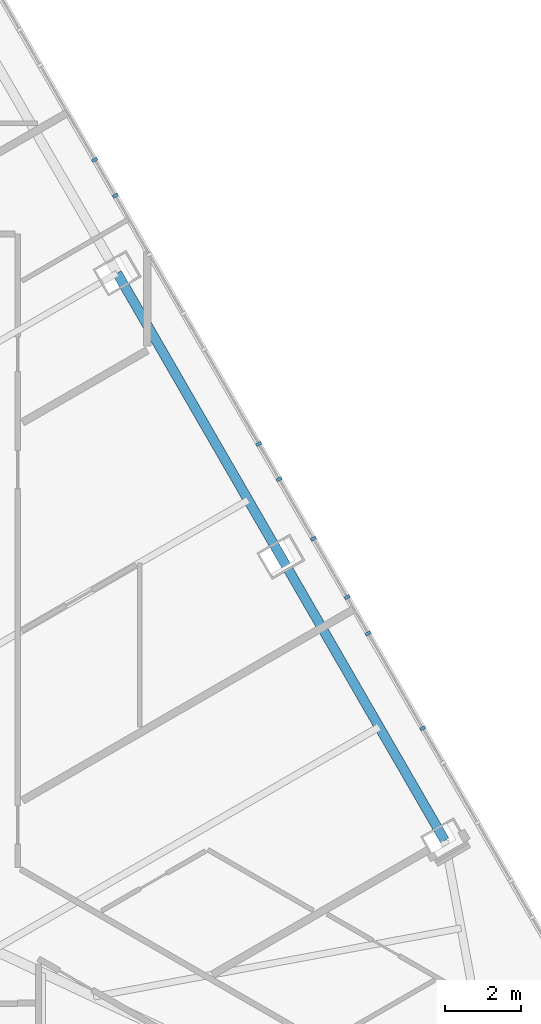
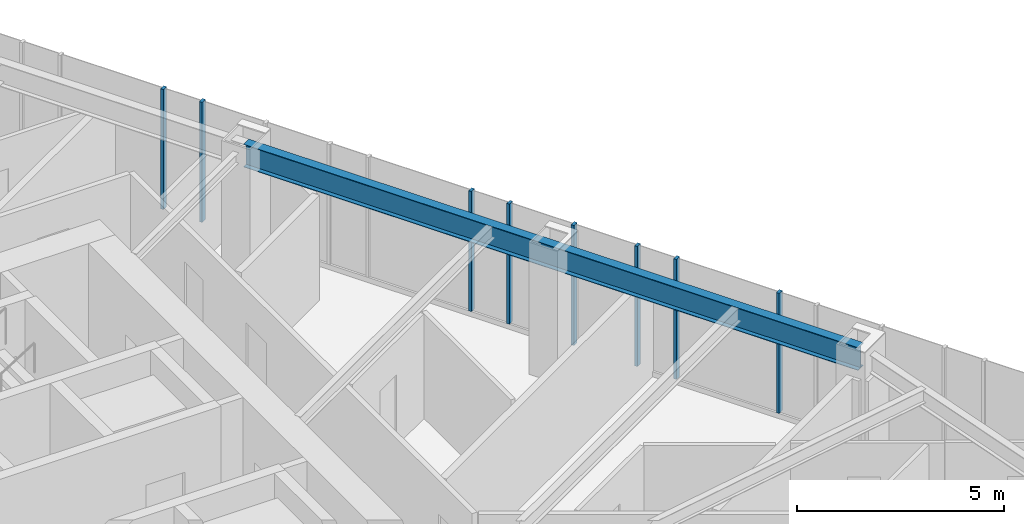
# One storey, part 10 of 24: 8 members, 1 beam, 1 element without a shape of its own.
"""IFC4 building model written with IfcOpenShell, lengths in metres."""

import ifcopenshell
import ifcopenshell.guid

model = None  # the IFC model being written
_history = None  # IfcOwnerHistory: only IFC2X3 demands one
_inside = {}  # id of a spatial element -> (the spatial element, [elements in it])
_under = {}  # id of a project, library or spatial element -> (it, [spatial elements below it])
_declared = {}  # id of a project -> (the project, [libraries it declares])
_typed = {}  # id of a type object -> (the type object, [elements of that type])
_made_of = {}  # id of a material, layer set ... -> (it, [elements and type objects made of it])


def new_model(schema):
    """Start an empty IFC model of exactly this schema.

    Asked for "IFC4X3", IfcOpenShell would pick the latest addendum, in which some entities
    have other attributes; the version numbers below select the first issue.
    IFC2X3 requires an IfcOwnerHistory on every rooted entity: one is made here for all.
    """
    global model, _history
    if schema == "IFC4X3":
        model = ifcopenshell.file(schema_version=(4, 3, 0, 0))
    else:
        model = ifcopenshell.file(schema=schema)
    _inside.clear()
    _under.clear()
    _declared.clear()
    _typed.clear()
    _made_of.clear()
    _history = None
    if model.schema == "IFC2X3":
        org = make("IfcOrganization", Name="unknown")
        user = make(
            "IfcPersonAndOrganization",
            ThePerson=make("IfcPerson", FamilyName="unknown"),
            TheOrganization=org,
        )
        app = make(
            "IfcApplication",
            ApplicationDeveloper=org,
            Version="unknown",
            ApplicationFullName="unknown",
            ApplicationIdentifier="unknown",
        )
        _history = make(
            "IfcOwnerHistory",
            OwningUser=user,
            OwningApplication=app,
            ChangeAction="ADDED",
            CreationDate=0,
        )
    return model


def make(cls, **values):
    """One entity of the class cls with the attributes given. An attribute that is None is left unset."""
    return model.create_entity(
        cls, **{name: value for name, value in values.items() if value is not None}
    )


def rooted(cls, **values):
    """An entity with a GlobalId (a new one), such as an element, a storey or a relation."""
    return make(cls, GlobalId=ifcopenshell.guid.new(), OwnerHistory=_history, **values)


def si_unit(unit_type, name, prefix=None):
    """IfcSIUnit, for example si_unit("LENGTHUNIT", "METRE", prefix="MILLI")."""
    return make("IfcSIUnit", UnitType=unit_type, Prefix=prefix, Name=name)


def assignment(units):
    """IfcUnitAssignment: the units of a project."""
    return None if units is None else make("IfcUnitAssignment", Units=units)


def point(xyz):
    """IfcCartesianPoint."""
    return None if xyz is None else make("IfcCartesianPoint", Coordinates=xyz)


def direction(xyz):
    """IfcDirection."""
    return None if xyz is None else make("IfcDirection", DirectionRatios=xyz)


def frame(location, z_axis=None, x_axis=None):
    """IfcAxis2Placement3D, a coordinate frame: its origin and axes. An axis left out is left unset."""
    return make(
        "IfcAxis2Placement3D",
        Location=point(location),
        Axis=direction(z_axis),
        RefDirection=direction(x_axis),
    )


def frame_2d(location, x_axis=None):
    """IfcAxis2Placement2D, a coordinate frame in the plane: its origin and x axis."""
    return make(
        "IfcAxis2Placement2D", Location=point(location), RefDirection=direction(x_axis)
    )


def origin():
    """The frame at (0, 0, 0) with its axes left unset."""
    return frame((0.0, 0.0, 0.0))


def origin_2d():
    """The frame at (0, 0) in the plane with its x axis left unset."""
    return frame_2d((0.0, 0.0))


def place(relative_to, where):
    """IfcLocalPlacement: puts the frame where relative to a parent placement (None: the world)."""
    return make(
        "IfcLocalPlacement", PlacementRelTo=relative_to, RelativePlacement=where
    )


def context(
    kind, dimensions, precision=None, world=None, true_north=None, identifier=None
):
    """IfcGeometricRepresentationContext, for example the 3D "Model" context."""
    return make(
        "IfcGeometricRepresentationContext",
        ContextIdentifier=identifier,
        ContextType=kind,
        CoordinateSpaceDimension=dimensions,
        Precision=precision,
        WorldCoordinateSystem=world,
        TrueNorth=true_north,
    )


def subcontext(parent, identifier, kind, view, scale=None):
    """IfcGeometricRepresentationSubContext, for example "Body" below "Model"."""
    return make(
        "IfcGeometricRepresentationSubContext",
        ContextIdentifier=identifier,
        ContextType=kind,
        ParentContext=parent,
        TargetScale=scale,
        TargetView=view,
    )


def project(units=None, contexts=None):
    """IfcProject with its units and contexts."""
    return rooted(
        "IfcProject",
        Name="project",
        RepresentationContexts=contexts,
        UnitsInContext=assignment(units),
    )


def spatial(cls, under=None, at=None, **own):
    """A site, building, storey or space (cls), placed at a placement, below another one or the project."""
    s = rooted(cls, ObjectPlacement=at, **own)
    if under is not None:
        _under.setdefault(under.id(), (under, []))[1].append(s)
    return s


def profile(cls, at=None, kind="AREA", **sizes):
    """A parametric profile (cls). Its sizes go by their IFC names, for example OverallWidth=200.0."""
    return make(cls, ProfileType=kind, Position=at, **sizes)


def rectangle(**sizes):
    """IfcRectangleProfileDef."""
    return profile("IfcRectangleProfileDef", **sizes)


def i_section(**sizes):
    """IfcIShapeProfileDef."""
    return profile("IfcIShapeProfileDef", **sizes)


def extrude(swept, where, along, depth):
    """IfcExtrudedAreaSolid: the profile swept, set in the frame where, extruded along a direction by depth."""
    return make(
        "IfcExtrudedAreaSolid",
        SweptArea=swept,
        Position=where,
        ExtrudedDirection=direction(along),
        Depth=depth,
    )


def shape(context_of_items, identifier, shape_type, items):
    """IfcShapeRepresentation: the items that make up one representation, for example the "Body"."""
    return make(
        "IfcShapeRepresentation",
        ContextOfItems=context_of_items,
        RepresentationIdentifier=identifier,
        RepresentationType=shape_type,
        Items=items,
    )


def material(Name=None, Category=None):
    """IfcMaterial."""
    return make("IfcMaterial", Name=Name, Category=Category)


def layer(
    of_material, thickness, ventilated=None, Name=None, Category=None, Priority=None
):
    """IfcMaterialLayer: one layer of a wall or slab, of a material (None: an air gap)."""
    return make(
        "IfcMaterialLayer",
        Material=of_material,
        LayerThickness=thickness,
        IsVentilated=ventilated,
        Name=Name,
        Category=Category,
        Priority=Priority,
    )


def layer_set(layers, Name=None):
    """IfcMaterialLayerSet."""
    return make("IfcMaterialLayerSet", MaterialLayers=layers, LayerSetName=Name)


def material_profile(
    of_material, cross_section, Name=None, Category=None, Priority=None
):
    """IfcMaterialProfile: a cross section and its material."""
    return make(
        "IfcMaterialProfile",
        Name=Name,
        Material=of_material,
        Profile=cross_section,
        Priority=Priority,
        Category=Category,
    )


def profile_set(profiles, Name=None, composite=None):
    """IfcMaterialProfileSet."""
    return make(
        "IfcMaterialProfileSet",
        Name=Name,
        MaterialProfiles=profiles,
        CompositeProfile=composite,
    )


def made_of(thing, what):
    """Note that an element or type object is made of a material, layer set ...; save() writes the relation."""
    if what is not None:
        _made_of.setdefault(what.id(), (what, []))[1].append(thing)
    return thing


def type_object(cls, material=None, **own):
    """A type object (cls), such as IfcWallType, which elements share."""
    return made_of(rooted(cls, **own), material)


def element(
    cls,
    number,
    at=None,
    inside=None,
    cuts=None,
    type_object=None,
    material=None,
    context=None,
    identifier="Body",
    shape_type=None,
    held_by="IfcProductDefinitionShape",
    body=None,
    shapes=None,
    **own,
):
    """One element of the class cls, such as IfcWall. Its Tag is "e" and its number.

    at: its placement. inside: the storey or other place that contains it. cuts: it is an
    opening in that element (IfcRelVoidsElement). A single representation is given by context,
    identifier, shape_type and body (its items); several are given by shapes. held_by: the class
    of the entity that holds the representations. save() writes the other relations.
    """
    e = rooted(cls, Tag="e%d" % number, ObjectPlacement=at, **own)
    if body is not None:
        shapes = [shape(context, identifier, shape_type, body)]
    if shapes is not None:
        e.Representation = make(held_by, Representations=shapes)
    if inside is not None:
        _inside.setdefault(inside.id(), (inside, []))[1].append(e)
    if cuts is not None:
        rooted(
            "IfcRelVoidsElement", RelatingBuildingElement=cuts, RelatedOpeningElement=e
        )
    if type_object is not None:
        _typed.setdefault(type_object.id(), (type_object, []))[1].append(e)
    return made_of(e, material)


def aggregate(whole, parts):
    """IfcRelAggregates: a whole, such as a stair, and the parts it consists of."""
    return rooted("IfcRelAggregates", RelatingObject=whole, RelatedObjects=parts)


def save(model, path):
    """Write the relations noted so far, then the file.

    IfcRelAggregates (storeys below a building ...), IfcRelContainedInSpatialStructure (elements
    in a storey), IfcRelDefinesByType, IfcRelAssociatesMaterial and IfcRelDeclares: one each for
    every whole, place, type object, material and project.
    """
    for whole, parts in _under.values():
        aggregate(whole, parts)
    for where, things in _inside.values():
        rooted(
            "IfcRelContainedInSpatialStructure",
            RelatedElements=things,
            RelatingStructure=where,
        )
    for kind, things in _typed.values():
        rooted("IfcRelDefinesByType", RelatedObjects=things, RelatingType=kind)
    for what, things in _made_of.values():
        rooted("IfcRelAssociatesMaterial", RelatedObjects=things, RelatingMaterial=what)
    for by, libraries in _declared.values():
        rooted("IfcRelDeclares", RelatingContext=by, RelatedDefinitions=libraries)
    model.write(path)


model = new_model("IFC4")

# Units and contexts
model_context = context("Model", 3, precision=1e-05, world=origin(), true_north=direction((0.0, 1.0)))
body_context = subcontext(model_context, "Body", "Model", "MODEL_VIEW")
ifc_project = project(units=[si_unit("LENGTHUNIT", "METRE"), si_unit("AREAUNIT", "SQUARE_METRE"), si_unit("VOLUMEUNIT", "CUBIC_METRE"), si_unit("PLANEANGLEUNIT", "RADIAN"), si_unit("MASSUNIT", "GRAM", prefix="KILO")], contexts=[model_context])

# Site, building, storey
site_placement = place(None, origin())
site = spatial("IfcSite", under=ifc_project, at=site_placement, CompositionType="ELEMENT")
building_placement = place(site_placement, origin())
building = spatial("IfcBuilding", under=site, at=building_placement, Name="Firuza Gate Tower and Library", CompositionType="ELEMENT")
storey_placement = place(building_placement, frame((0.0, 0.0, 206.5)))
storey = spatial("IfcBuildingStorey", under=building, at=storey_placement, Name="L48", CompositionType="ELEMENT", Elevation=206.5)

# Curtain wall, members
ifc_material_1 = material(Name="Aluminium 6063-T6", Category="aluminium")
ifc_layer = layer(ifc_material_1, 0.14990234375)
ifc_layer_set = layer_set([ifc_layer], Name="Unitised curtain wall, hotel")
curtain_wall_type = type_object("IfcCurtainWallType", Name="Unitised curtain wall, hotel", PredefinedType="NOTDEFINED", material=ifc_layer_set)
curtain_wall_placement = place(storey_placement, origin())
curtain_wall = element("IfcCurtainWall", 1, at=curtain_wall_placement, inside=storey, type_object=curtain_wall_type, Name="CW2 L48 E face", PredefinedType="NOTDEFINED")
ifc_material_2 = material(Name="Aluminium 6063-T6", Category="aluminium")
ifc_material_profile_1 = material_profile(ifc_material_2, rectangle(XDim=0.14990234375, YDim=0.080078125, at=origin_2d()))
ifc_profile_set_1 = profile_set([ifc_material_profile_1], Name="Aluminium 6063-T6")
member_type = type_object("IfcMemberType", Name="Curtain wall mullion 80x150", PredefinedType="MULLION", material=ifc_profile_set_1)
member_1_placement = place(storey_placement, frame((98.72900390625, 72.133544921875, 0.14990234375), z_axis=(0.0, 0.0, 1.0), x_axis=(-0.866025403784, -0.5, 0.0)))
member_1 = element("IfcMember", 2, at=member_1_placement, type_object=member_type, Name="Mullion", PredefinedType="MULLION", context=body_context, shape_type="SweptSolid", body=[
    extrude(rectangle(XDim=0.14990234375, YDim=0.080078125, at=origin_2d()), origin(), (0.0, 0.0, 1.0), 3.550048828125),
])
member_2_placement = place(storey_placement, frame((97.29443359375, 74.618408203125, 0.14990234375), z_axis=(0.0, 0.0, 1.0), x_axis=(-0.866025403784, -0.5, 0.0)))
member_2 = element("IfcMember", 3, at=member_2_placement, type_object=member_type, Name="Mullion", PredefinedType="MULLION", context=body_context, shape_type="SweptSolid", body=[
    extrude(rectangle(XDim=0.14990234375, YDim=0.080078125, at=origin_2d()), origin(), (0.0, 0.0, 1.0), 3.550048828125),
])
member_3_placement = place(storey_placement, frame((95.859619140625, 77.103515625, 0.14990234375), z_axis=(0.0, 0.0, 1.0), x_axis=(-0.866025403784, -0.5, 0.0)))
member_3 = element("IfcMember", 4, at=member_3_placement, type_object=member_type, Name="Mullion", PredefinedType="MULLION", context=body_context, shape_type="SweptSolid", body=[
    extrude(rectangle(XDim=0.14990234375, YDim=0.080078125, at=origin_2d()), origin(), (0.0, 0.0, 1.0), 3.550048828125),
])
member_4_placement = place(storey_placement, frame((94.425048828125, 79.58837890625, 0.14990234375), z_axis=(0.0, 0.0, 1.0), x_axis=(-0.866025403784, -0.5, 0.0)))
member_4 = element("IfcMember", 5, at=member_4_placement, type_object=member_type, Name="Mullion", PredefinedType="MULLION", context=body_context, shape_type="SweptSolid", body=[
    extrude(rectangle(XDim=0.14990234375, YDim=0.080078125, at=origin_2d()), origin(), (0.0, 0.0, 1.0), 3.550048828125),
])
member_5_placement = place(storey_placement, frame((90.120849609375, 87.043212890625, 0.14990234375), z_axis=(0.0, 0.0, 1.0), x_axis=(-0.866025403784, -0.5, 0.0)))
member_5 = element("IfcMember", 6, at=member_5_placement, type_object=member_type, Name="Mullion", PredefinedType="MULLION", context=body_context, shape_type="SweptSolid", body=[
    extrude(rectangle(XDim=0.14990234375, YDim=0.080078125, at=origin_2d()), origin(), (0.0, 0.0, 1.0), 3.550048828125),
])
member_6_placement = place(storey_placement, frame((96.74560546875, 75.56884765625, 0.14990234375), z_axis=(0.0, 0.0, 1.0), x_axis=(-0.866025403784, -0.5, 0.0)))
member_6 = element("IfcMember", 7, at=member_6_placement, type_object=member_type, Name="Mullion", PredefinedType="MULLION", context=body_context, shape_type="SweptSolid", body=[
    extrude(rectangle(XDim=0.14990234375, YDim=0.080078125, at=origin_2d()), origin(), (0.0, 0.0, 1.0), 3.550048828125),
])
member_7_placement = place(storey_placement, frame((94.959228515625, 78.6630859375, 0.14990234375), z_axis=(0.0, 0.0, 1.0), x_axis=(-0.866025403784, -0.5, 0.0)))
member_7 = element("IfcMember", 8, at=member_7_placement, type_object=member_type, Name="Mullion", PredefinedType="MULLION", context=body_context, shape_type="SweptSolid", body=[
    extrude(rectangle(XDim=0.14990234375, YDim=0.080078125, at=origin_2d()), origin(), (0.0, 0.0, 1.0), 3.550048828125),
])
member_8_placement = place(storey_placement, frame((90.662353515625, 86.10546875, 0.14990234375), z_axis=(0.0, 0.0, 1.0), x_axis=(-0.866025403784, -0.5, 0.0)))
member_8 = element("IfcMember", 9, at=member_8_placement, type_object=member_type, Name="Mullion", PredefinedType="MULLION", context=body_context, shape_type="SweptSolid", body=[
    extrude(rectangle(XDim=0.14990234375, YDim=0.080078125, at=origin_2d()), origin(), (0.0, 0.0, 1.0), 3.550048828125),
])
aggregate(curtain_wall, [member_1, member_2, member_3, member_4, member_5, member_6, member_7, member_8])

# Beam
ifc_material_3 = material(Name="Steel S355", Category="steel")
ifc_material_profile_2 = material_profile(ifc_material_3, i_section(OverallWidth=0.2529296875, OverallDepth=0.677978515625, WebThickness=0.01171875, FlangeThickness=0.016357421875, at=origin_2d()))
ifc_profile_set_2 = profile_set([ifc_material_profile_2], Name="Steel S355")
beam_type = type_object("IfcBeamType", Name="W690x125 Edge beam", PredefinedType="SPANDREL", material=ifc_profile_set_2)
beam_placement = place(storey_placement, frame((99.304931640625, 69.18603515625, 3.361083984375), z_axis=(-0.500001158966, 0.866024734654, 0.0), x_axis=(-0.866024734654, -0.500001158966, 0.0)))
element("IfcBeam", 10, at=beam_placement, inside=storey, type_object=beam_type, Name="Edge beam L48 e50", PredefinedType="SPANDREL", context=body_context, shape_type="SweptSolid", body=[
    extrude(i_section(OverallWidth=0.2529296875, OverallDepth=0.677978515625, WebThickness=0.01171875, FlangeThickness=0.016357421875, at=origin_2d()), origin(), (0.0, 0.0, 1.0), 17.1875),
])

save(model, "model.ifc")
